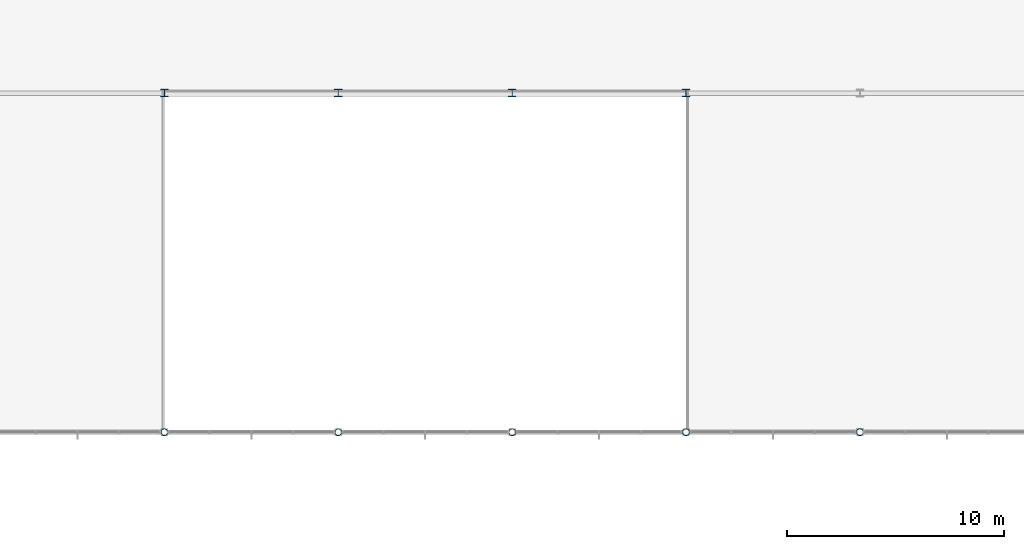
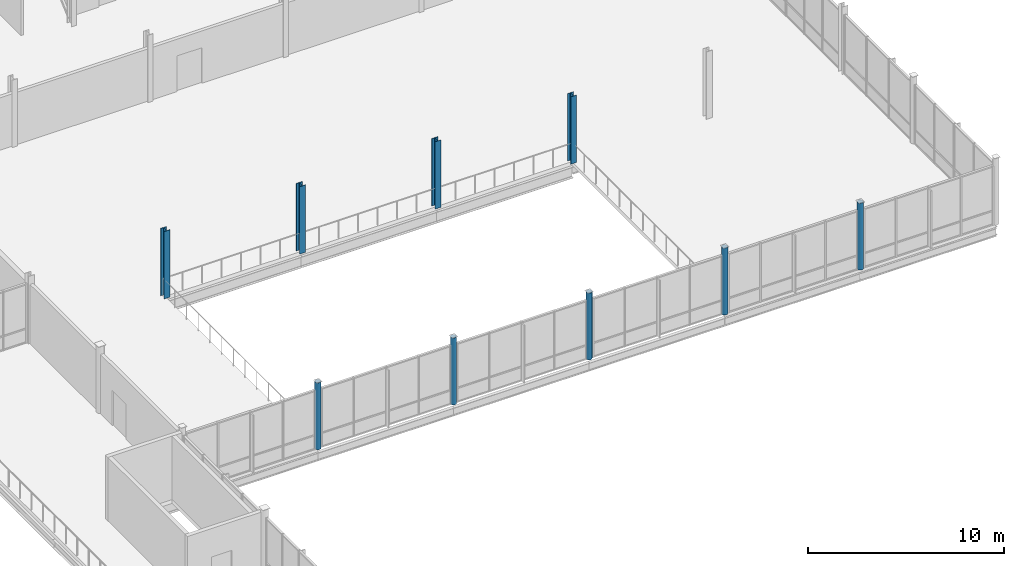
# One storey, part 4 of 75: 9 columns.
"""IFC4 building model written with IfcOpenShell, lengths in metres."""

from ifc_helpers import new_model, si_unit, direction, frame, origin, origin_2d, place, context, subcontext, project, spatial, hollow_circle, i_section, extrude, material, material_profile, profile_set, type_object, element, save


model = new_model("IFC4")

# Units and contexts
model_context = context("Model", 3, precision=1e-05, world=origin(), true_north=direction((0.0, 1.0)))
body_context = subcontext(model_context, "Body", "Model", "MODEL_VIEW")
ifc_project = project(units=[si_unit("LENGTHUNIT", "METRE"), si_unit("AREAUNIT", "SQUARE_METRE"), si_unit("VOLUMEUNIT", "CUBIC_METRE"), si_unit("PLANEANGLEUNIT", "RADIAN"), si_unit("MASSUNIT", "GRAM", prefix="KILO")], contexts=[model_context])

# Site, building, storey
site_placement = place(None, origin())
site = spatial("IfcSite", under=ifc_project, at=site_placement, CompositionType="ELEMENT")
building_placement = place(site_placement, origin())
building = spatial("IfcBuilding", under=site, at=building_placement, Name="Yukiwa Park Conservatory and Herbarium", CompositionType="ELEMENT")
storey_placement = place(building_placement, frame((0.0, 0.0, 4.800048828125)))
storey = spatial("IfcBuildingStorey", under=building, at=storey_placement, Name="L01", CompositionType="ELEMENT", Elevation=4.800048828125)

# Columns
ifc_material_1 = material(Name="Steel Q355D", Category="steel")
ifc_material_profile_1 = material_profile(ifc_material_1, hollow_circle(Radius=0.16259765625, WallThickness=0.011962890625, at=origin_2d()), Name="CHS 325x12")
ifc_profile_set_1 = profile_set([ifc_material_profile_1], Name="Steel Q355D")
column_type_1 = type_object("IfcColumnType", Name="COL-CN-CHS325-EXT", PredefinedType="COLUMN", material=ifc_profile_set_1)
for number, where, z_axis, x_axis, name in (
    (1, (68.0, 15.60009765625, 0.0), (0.0, 0.0, 1.0), (1.0, 0.0, 0.0), "L01 column V2-X680-Y156"),
    (2, (76.0, 15.60009765625, 0.0), (0.0, 0.0, 1.0), (1.0, 0.0, 0.0), "L01 column V2-X760-Y156"),
    (3, (84.0, 15.60009765625, 0.0), (0.0, 0.0, 1.0), (1.0, 0.0, 0.0), "L01 column V2-X840-Y156"),
    (4, (92.0, 15.60009765625, 0.0), (0.0, 0.0, 1.0), (1.0, 0.0, 0.0), "L01 column V2-X920-Y156"),
    (5, (100.0, 15.60009765625, 0.0), (0.0, 0.0, 1.0), (1.0, 0.0, 0.0), "L01 column V2-X1000-Y156"),
):
    element("IfcColumn", number, at=place(storey_placement, frame(where, z_axis=z_axis, x_axis=x_axis)), inside=storey, type_object=column_type_1, Name=name, PredefinedType="COLUMN", context=body_context, shape_type="SweptSolid", body=[
        extrude(hollow_circle(Radius=0.16259765625, WallThickness=0.011962890625, at=origin_2d()), origin(), (0.0, 0.0, 1.0), 4.176025390625),
    ])
ifc_material_2 = material(Name="Steel Q355D", Category="steel")
ifc_material_profile_2 = material_profile(ifc_material_2, i_section(OverallWidth=0.35009765625, OverallDepth=0.35009765625, WebThickness=0.011962890625, FlangeThickness=0.01904296875, FilletRadius=0.02001953125, at=origin_2d()), Name="HW 350x350x12x19")
ifc_profile_set_2 = profile_set([ifc_material_profile_2], Name="Steel Q355D")
column_type_2 = type_object("IfcColumnType", Name="COL-TW-HW350", PredefinedType="COLUMN", material=ifc_profile_set_2)
for number, where, z_axis, x_axis, name in (
    (6, (68.0, 31.199951171875, 0.0), (0.0, 0.0, 1.0), (1.0, 0.0, 0.0), "L01 column V2-X680-Y312"),
    (7, (76.0, 31.199951171875, 0.0), (0.0, 0.0, 1.0), (1.0, 0.0, 0.0), "L01 column V2-X760-Y312"),
    (8, (84.0, 31.199951171875, 0.0), (0.0, 0.0, 1.0), (1.0, 0.0, 0.0), "L01 column V2-X840-Y312"),
    (9, (92.0, 31.199951171875, 0.0), (0.0, 0.0, 1.0), (1.0, 0.0, 0.0), "L01 column V2-X920-Y312"),
):
    element("IfcColumn", number, at=place(storey_placement, frame(where, z_axis=z_axis, x_axis=x_axis)), inside=storey, type_object=column_type_2, Name=name, PredefinedType="COLUMN", context=body_context, shape_type="SweptSolid", body=[
        extrude(i_section(OverallWidth=0.35009765625, OverallDepth=0.35009765625, WebThickness=0.011962890625, FlangeThickness=0.01904296875, FilletRadius=0.02001953125, at=origin_2d()), origin(), (0.0, 0.0, 1.0), 4.199951171875),
    ])

save(model, "model.ifc")
